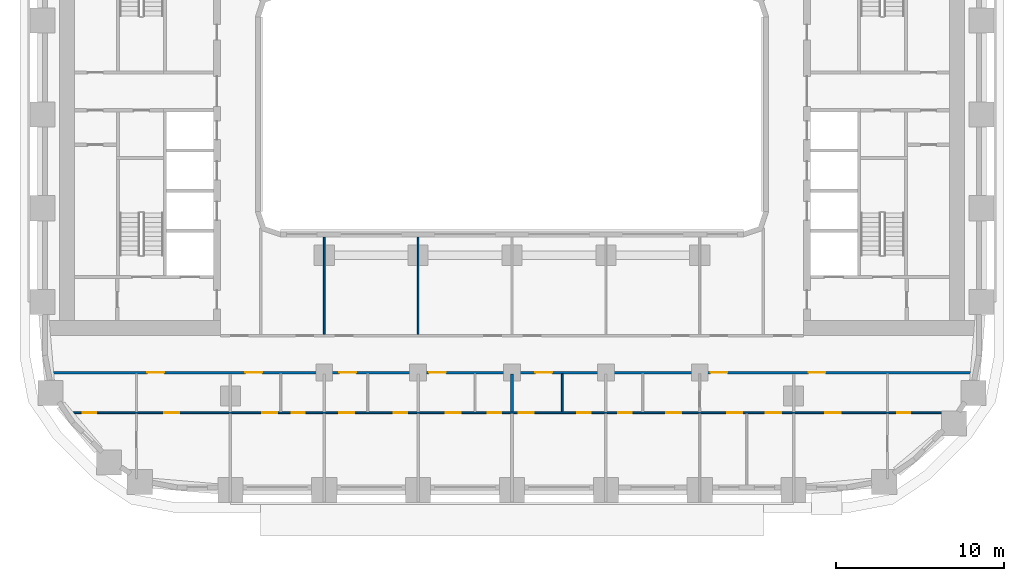
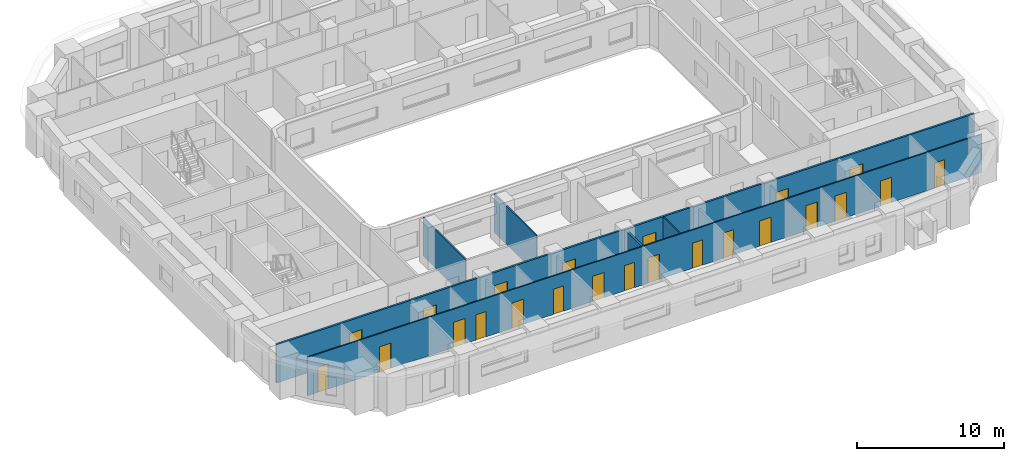
# One storey, part 3 of 21: 23 doors, 6 walls, 23 openings.
"""IFC4 building model written with IfcOpenShell, lengths in metres."""

from ifc_helpers import new_model, si_unit, direction, frame, frame_2d, origin, place, context, subcontext, project, spatial, rectangle, extrude, material, layer, layer_set, type_object, element, fill, save


model = new_model("IFC4")

# Units and contexts
model_context = context("Model", 3, precision=1e-05, world=origin(), true_north=direction((0.0, 1.0)))
body_context = subcontext(model_context, "Body", "Model", "MODEL_VIEW")
ifc_project = project(units=[si_unit("LENGTHUNIT", "METRE"), si_unit("AREAUNIT", "SQUARE_METRE"), si_unit("VOLUMEUNIT", "CUBIC_METRE"), si_unit("PLANEANGLEUNIT", "RADIAN"), si_unit("MASSUNIT", "GRAM", prefix="KILO")], contexts=[model_context])

# Site, building, storey
site_placement = place(None, origin())
site = spatial("IfcSite", under=ifc_project, at=site_placement, CompositionType="ELEMENT")
building_placement = place(site_placement, origin())
building = spatial("IfcBuilding", under=site, at=building_placement, Name="Kiln Ring Residences", CompositionType="ELEMENT")
storey_placement = place(building_placement, frame((0.0, 0.0, 34.0)))
storey = spatial("IfcBuildingStorey", under=building, at=storey_placement, Name="L07", CompositionType="ELEMENT", Elevation=34.0)

# Wall, openings, doors
ifc_material_1 = material(Name="Gypsum board on steel studs", Category="steel")
ifc_layer_1 = layer(ifc_material_1, 0.10009765625)
ifc_layer_set_1 = layer_set([ifc_layer_1], Name="PARTITION-100")
wall_type_1 = type_object("IfcWallType", Name="PARTITION-100", PredefinedType="PARTITIONING", material=ifc_layer_set_1)
wall_1_placement = place(storey_placement, frame((-26.39404296875, -17.800048828125, 0.0), z_axis=(0.0, 0.0, 1.0), x_axis=(1.0, 0.0, 0.0)))
wall_1 = element("IfcWall", 1, at=wall_1_placement, inside=storey, type_object=wall_type_1, Name="Partition 000", PredefinedType="PARTITIONING", context=body_context, shape_type="SweptSolid", body=[
    extrude(rectangle(XDim=53.126220703125, YDim=0.10009765625, at=frame_2d((26.56298828125, 0.0))), origin(), (0.0, 0.0, 1.0), 3.199951171875),
])
opening_1_placement = place(wall_1_placement, frame((0.7939453125, 0.0, 0.0)))
opening_1 = element("IfcOpeningElement", 2, at=opening_1_placement, cuts=wall_1, Name="Opening L07-D044", PredefinedType="OPENING", context=body_context, shape_type="SweptSolid", body=[
    extrude(rectangle(XDim=0.800048828125, YDim=2.10009765625, at=frame_2d((0.39990234375, 1.050048828125))), frame((0.0, 0.06005859375, 0.0), z_axis=(0.0, -1.0, 0.0), x_axis=(1.0, 0.0, 0.0)), (0.0, 0.0, 1.0), 0.1201171875),
])
opening_2_placement = place(wall_1_placement, frame((5.64404296875, 0.0, 0.0)))
opening_2 = element("IfcOpeningElement", 3, at=opening_2_placement, cuts=wall_1, Name="Opening L07-D045", PredefinedType="OPENING", context=body_context, shape_type="SweptSolid", body=[
    extrude(rectangle(XDim=0.89990234375, YDim=2.10009765625, at=frame_2d((0.449951171875, 1.050048828125))), frame((0.0, 0.06005859375, 0.0), z_axis=(0.0, -1.0, 0.0), x_axis=(1.0, 0.0, 0.0)), (0.0, 0.0, 1.0), 0.1201171875),
])
opening_3_placement = place(wall_1_placement, frame((13.243896484375, 0.0, 0.0)))
opening_3 = element("IfcOpeningElement", 4, at=opening_3_placement, cuts=wall_1, Name="Opening L07-D048", PredefinedType="OPENING", context=body_context, shape_type="SweptSolid", body=[
    extrude(rectangle(XDim=0.800048828125, YDim=2.10009765625, at=frame_2d((0.39990234375, 1.050048828125))), frame((0.0, 0.06005859375, 0.0), z_axis=(0.0, -1.0, 0.0), x_axis=(1.0, 0.0, 0.0)), (0.0, 0.0, 1.0), 0.1201171875),
])
opening_4_placement = place(wall_1_placement, frame((11.493896484375, 0.0, 0.0)))
opening_4 = element("IfcOpeningElement", 5, at=opening_4_placement, cuts=wall_1, Name="Opening L07-D049", PredefinedType="OPENING", context=body_context, shape_type="SweptSolid", body=[
    extrude(rectangle(XDim=0.89990234375, YDim=2.10009765625, at=frame_2d((0.449951171875, 1.050048828125))), frame((0.0, 0.06005859375, 0.0), z_axis=(0.0, -1.0, 0.0), x_axis=(1.0, 0.0, 0.0)), (0.0, 0.0, 1.0), 0.1201171875),
])
opening_5_placement = place(wall_1_placement, frame((19.343994140625, 0.0, 0.0)))
opening_5 = element("IfcOpeningElement", 6, at=opening_5_placement, cuts=wall_1, Name="Opening L07-D051", PredefinedType="OPENING", context=body_context, shape_type="SweptSolid", body=[
    extrude(rectangle(XDim=0.800048828125, YDim=2.10009765625, at=frame_2d((0.39990234375, 1.050048828125))), frame((0.0, 0.06005859375, 0.0), z_axis=(0.0, -1.0, 0.0), x_axis=(1.0, 0.0, 0.0)), (0.0, 0.0, 1.0), 0.1201171875),
])
opening_6_placement = place(wall_1_placement, frame((16.093994140625, 0.0, 0.0)))
opening_6 = element("IfcOpeningElement", 7, at=opening_6_placement, cuts=wall_1, Name="Opening L07-D052", PredefinedType="OPENING", context=body_context, shape_type="SweptSolid", body=[
    extrude(rectangle(XDim=0.89990234375, YDim=2.10009765625, at=frame_2d((0.449951171875, 1.050048828125))), frame((0.0, 0.06005859375, 0.0), z_axis=(0.0, -1.0, 0.0), x_axis=(1.0, 0.0, 0.0)), (0.0, 0.0, 1.0), 0.1201171875),
])
opening_7_placement = place(wall_1_placement, frame((24.944091796875, 0.0, 0.0)))
opening_7 = element("IfcOpeningElement", 8, at=opening_7_placement, cuts=wall_1, Name="Opening L07-D054", PredefinedType="OPENING", context=body_context, shape_type="SweptSolid", body=[
    extrude(rectangle(XDim=0.800048828125, YDim=2.10009765625, at=frame_2d((0.39990234375, 1.050048828125))), frame((0.0, 0.06005859375, 0.0), z_axis=(0.0, -1.0, 0.0), x_axis=(1.0, 0.0, 0.0)), (0.0, 0.0, 1.0), 0.1201171875),
])
opening_8_placement = place(wall_1_placement, frame((22.444091796875, 0.0, 0.0)))
opening_8 = element("IfcOpeningElement", 9, at=opening_8_placement, cuts=wall_1, Name="Opening L07-D055", PredefinedType="OPENING", context=body_context, shape_type="SweptSolid", body=[
    extrude(rectangle(XDim=0.89990234375, YDim=2.10009765625, at=frame_2d((0.449951171875, 1.050048828125))), frame((0.0, 0.06005859375, 0.0), z_axis=(0.0, -1.0, 0.0), x_axis=(1.0, 0.0, 0.0)), (0.0, 0.0, 1.0), 0.1201171875),
])
opening_9_placement = place(wall_1_placement, frame((30.2939453125, 0.0, 0.0)))
opening_9 = element("IfcOpeningElement", 10, at=opening_9_placement, cuts=wall_1, Name="Opening L07-D057", PredefinedType="OPENING", context=body_context, shape_type="SweptSolid", body=[
    extrude(rectangle(XDim=0.800048828125, YDim=2.10009765625, at=frame_2d((0.39990234375, 1.050048828125))), frame((0.0, 0.06005859375, 0.0), z_axis=(0.0, -1.0, 0.0), x_axis=(1.0, 0.0, 0.0)), (0.0, 0.0, 1.0), 0.1201171875),
])
opening_10_placement = place(wall_1_placement, frame((26.7939453125, 0.0, 0.0)))
opening_10 = element("IfcOpeningElement", 11, at=opening_10_placement, cuts=wall_1, Name="Opening L07-D058", PredefinedType="OPENING", context=body_context, shape_type="SweptSolid", body=[
    extrude(rectangle(XDim=0.89990234375, YDim=2.10009765625, at=frame_2d((0.449951171875, 1.050048828125))), frame((0.0, 0.06005859375, 0.0), z_axis=(0.0, -1.0, 0.0), x_axis=(1.0, 0.0, 0.0)), (0.0, 0.0, 1.0), 0.1201171875),
])
opening_11_placement = place(wall_1_placement, frame((32.743896484375, 0.0, 0.0)))
opening_11 = element("IfcOpeningElement", 12, at=opening_11_placement, cuts=wall_1, Name="Opening L07-D061", PredefinedType="OPENING", context=body_context, shape_type="SweptSolid", body=[
    extrude(rectangle(XDim=0.800048828125, YDim=2.10009765625, at=frame_2d((0.39990234375, 1.050048828125))), frame((0.0, 0.06005859375, 0.0), z_axis=(0.0, -1.0, 0.0), x_axis=(1.0, 0.0, 0.0)), (0.0, 0.0, 1.0), 0.1201171875),
])
opening_12_placement = place(wall_1_placement, frame((35.593994140625, 0.0, 0.0)))
opening_12 = element("IfcOpeningElement", 13, at=opening_12_placement, cuts=wall_1, Name="Opening L07-D062", PredefinedType="OPENING", context=body_context, shape_type="SweptSolid", body=[
    extrude(rectangle(XDim=0.89990234375, YDim=2.10009765625, at=frame_2d((0.449951171875, 1.050048828125))), frame((0.0, 0.06005859375, 0.0), z_axis=(0.0, -1.0, 0.0), x_axis=(1.0, 0.0, 0.0)), (0.0, 0.0, 1.0), 0.1201171875),
])
opening_13_placement = place(wall_1_placement, frame((39.243896484375, 0.0, 0.0)))
opening_13 = element("IfcOpeningElement", 14, at=opening_13_placement, cuts=wall_1, Name="Opening L07-D063", PredefinedType="OPENING", context=body_context, shape_type="SweptSolid", body=[
    extrude(rectangle(XDim=0.89990234375, YDim=2.10009765625, at=frame_2d((0.449951171875, 1.050048828125))), frame((0.0, 0.06005859375, 0.0), z_axis=(0.0, -1.0, 0.0), x_axis=(1.0, 0.0, 0.0)), (0.0, 0.0, 1.0), 0.1201171875),
])
opening_14_placement = place(wall_1_placement, frame((41.5439453125, 0.0, 0.0)))
opening_14 = element("IfcOpeningElement", 15, at=opening_14_placement, cuts=wall_1, Name="Opening L07-D064", PredefinedType="OPENING", context=body_context, shape_type="SweptSolid", body=[
    extrude(rectangle(XDim=0.89990234375, YDim=2.10009765625, at=frame_2d((0.449951171875, 1.050048828125))), frame((0.0, 0.06005859375, 0.0), z_axis=(0.0, -1.0, 0.0), x_axis=(1.0, 0.0, 0.0)), (0.0, 0.0, 1.0), 0.1201171875),
])
opening_15_placement = place(wall_1_placement, frame((49.362060546875, 0.0, 0.0)))
opening_15 = element("IfcOpeningElement", 16, at=opening_15_placement, cuts=wall_1, Name="Opening L07-D066", PredefinedType="OPENING", context=body_context, shape_type="SweptSolid", body=[
    extrude(rectangle(XDim=0.800048828125, YDim=2.10009765625, at=frame_2d((0.39990234375, 1.050048828125))), frame((0.0, 0.06005859375, 0.0), z_axis=(0.0, -1.0, 0.0), x_axis=(1.0, 0.0, 0.0)), (0.0, 0.0, 1.0), 0.1201171875),
])
opening_16_placement = place(wall_1_placement, frame((45.093994140625, 0.0, 0.0)))
opening_16 = element("IfcOpeningElement", 17, at=opening_16_placement, cuts=wall_1, Name="Opening L07-D067", PredefinedType="OPENING", context=body_context, shape_type="SweptSolid", body=[
    extrude(rectangle(XDim=0.89990234375, YDim=2.10009765625, at=frame_2d((0.449951171875, 1.050048828125))), frame((0.0, 0.06005859375, 0.0), z_axis=(0.0, -1.0, 0.0), x_axis=(1.0, 0.0, 0.0)), (0.0, 0.0, 1.0), 0.1201171875),
])
ifc_material_2 = material(Name="Timber door leaf", Category="wood")
door_type_1 = type_object("IfcDoorType", Name="FLAT-DOOR-800-PL", OperationType="SINGLE_SWING_LEFT", PredefinedType="DOOR", material=ifc_material_2)
door_1_placement = place(opening_1_placement, origin())
door_1 = element("IfcDoor", 18, at=door_1_placement, inside=storey, type_object=door_type_1, Name="Door L07-D044", OperationType="SINGLE_SWING_RIGHT", OverallHeight=2.10009765625, OverallWidth=0.800048828125, PredefinedType="DOOR", context=body_context, shape_type="SweptSolid", body=[
    extrude(rectangle(XDim=0.800048828125, YDim=2.10009765625, at=frame_2d((0.39990234375, 1.050048828125))), frame((0.0, 0.02490234375, 0.0), z_axis=(0.0, -1.0, 0.0), x_axis=(1.0, 0.0, 0.0)), (0.0, 0.0, 1.0), 0.050048828125),
])
fill(opening_1, door_1)
door_2_placement = place(opening_3_placement, origin())
door_2 = element("IfcDoor", 19, at=door_2_placement, inside=storey, type_object=door_type_1, Name="Door L07-D048", OperationType="SINGLE_SWING_RIGHT", OverallHeight=2.10009765625, OverallWidth=0.800048828125, PredefinedType="DOOR", context=body_context, shape_type="SweptSolid", body=[
    extrude(rectangle(XDim=0.800048828125, YDim=2.10009765625, at=frame_2d((0.39990234375, 1.050048828125))), frame((0.0, 0.02490234375, 0.0), z_axis=(0.0, -1.0, 0.0), x_axis=(1.0, 0.0, 0.0)), (0.0, 0.0, 1.0), 0.050048828125),
])
fill(opening_3, door_2)
door_3_placement = place(opening_5_placement, origin())
door_3 = element("IfcDoor", 20, at=door_3_placement, inside=storey, type_object=door_type_1, Name="Door L07-D051", OperationType="SINGLE_SWING_LEFT", OverallHeight=2.10009765625, OverallWidth=0.800048828125, PredefinedType="DOOR", context=body_context, shape_type="SweptSolid", body=[
    extrude(rectangle(XDim=0.800048828125, YDim=2.10009765625, at=frame_2d((0.39990234375, 1.050048828125))), frame((0.0, 0.02490234375, 0.0), z_axis=(0.0, -1.0, 0.0), x_axis=(1.0, 0.0, 0.0)), (0.0, 0.0, 1.0), 0.050048828125),
])
fill(opening_5, door_3)
door_4_placement = place(opening_7_placement, origin())
door_4 = element("IfcDoor", 21, at=door_4_placement, inside=storey, type_object=door_type_1, Name="Door L07-D054", OperationType="SINGLE_SWING_RIGHT", OverallHeight=2.10009765625, OverallWidth=0.800048828125, PredefinedType="DOOR", context=body_context, shape_type="SweptSolid", body=[
    extrude(rectangle(XDim=0.800048828125, YDim=2.10009765625, at=frame_2d((0.39990234375, 1.050048828125))), frame((0.0, 0.02490234375, 0.0), z_axis=(0.0, -1.0, 0.0), x_axis=(1.0, 0.0, 0.0)), (0.0, 0.0, 1.0), 0.050048828125),
])
fill(opening_7, door_4)
door_5_placement = place(opening_9_placement, origin())
door_5 = element("IfcDoor", 22, at=door_5_placement, inside=storey, type_object=door_type_1, Name="Door L07-D057", OperationType="SINGLE_SWING_LEFT", OverallHeight=2.10009765625, OverallWidth=0.800048828125, PredefinedType="DOOR", context=body_context, shape_type="SweptSolid", body=[
    extrude(rectangle(XDim=0.800048828125, YDim=2.10009765625, at=frame_2d((0.39990234375, 1.050048828125))), frame((0.0, 0.02490234375, 0.0), z_axis=(0.0, -1.0, 0.0), x_axis=(1.0, 0.0, 0.0)), (0.0, 0.0, 1.0), 0.050048828125),
])
fill(opening_9, door_5)
door_6_placement = place(opening_11_placement, origin())
door_6 = element("IfcDoor", 23, at=door_6_placement, inside=storey, type_object=door_type_1, Name="Door L07-D061", OperationType="SINGLE_SWING_LEFT", OverallHeight=2.10009765625, OverallWidth=0.800048828125, PredefinedType="DOOR", context=body_context, shape_type="SweptSolid", body=[
    extrude(rectangle(XDim=0.800048828125, YDim=2.10009765625, at=frame_2d((0.39990234375, 1.050048828125))), frame((0.0, 0.02490234375, 0.0), z_axis=(0.0, -1.0, 0.0), x_axis=(1.0, 0.0, 0.0)), (0.0, 0.0, 1.0), 0.050048828125),
])
fill(opening_11, door_6)
door_7_placement = place(opening_15_placement, origin())
door_7 = element("IfcDoor", 24, at=door_7_placement, inside=storey, type_object=door_type_1, Name="Door L07-D066", OperationType="SINGLE_SWING_RIGHT", OverallHeight=2.10009765625, OverallWidth=0.800048828125, PredefinedType="DOOR", context=body_context, shape_type="SweptSolid", body=[
    extrude(rectangle(XDim=0.800048828125, YDim=2.10009765625, at=frame_2d((0.39990234375, 1.050048828125))), frame((0.0, 0.02490234375, 0.0), z_axis=(0.0, -1.0, 0.0), x_axis=(1.0, 0.0, 0.0)), (0.0, 0.0, 1.0), 0.050048828125),
])
fill(opening_15, door_7)
ifc_material_3 = material(Name="Timber door leaf", Category="wood")
door_type_2 = type_object("IfcDoorType", Name="FLAT-DOOR-900-PL", OperationType="SINGLE_SWING_LEFT", PredefinedType="DOOR", material=ifc_material_3)
door_8_placement = place(opening_2_placement, origin())
door_8 = element("IfcDoor", 25, at=door_8_placement, inside=storey, type_object=door_type_2, Name="Door L07-D045", OperationType="SINGLE_SWING_LEFT", OverallHeight=2.10009765625, OverallWidth=0.89990234375, PredefinedType="DOOR", context=body_context, shape_type="SweptSolid", body=[
    extrude(rectangle(XDim=0.89990234375, YDim=2.10009765625, at=frame_2d((0.449951171875, 1.050048828125))), frame((0.0, 0.02490234375, 0.0), z_axis=(0.0, -1.0, 0.0), x_axis=(1.0, 0.0, 0.0)), (0.0, 0.0, 1.0), 0.050048828125),
])
fill(opening_2, door_8)
door_9_placement = place(opening_4_placement, origin())
door_9 = element("IfcDoor", 26, at=door_9_placement, inside=storey, type_object=door_type_2, Name="Door L07-D049", OperationType="SINGLE_SWING_RIGHT", OverallHeight=2.10009765625, OverallWidth=0.89990234375, PredefinedType="DOOR", context=body_context, shape_type="SweptSolid", body=[
    extrude(rectangle(XDim=0.89990234375, YDim=2.10009765625, at=frame_2d((0.449951171875, 1.050048828125))), frame((0.0, 0.02490234375, 0.0), z_axis=(0.0, -1.0, 0.0), x_axis=(1.0, 0.0, 0.0)), (0.0, 0.0, 1.0), 0.050048828125),
])
fill(opening_4, door_9)
door_10_placement = place(opening_6_placement, origin())
door_10 = element("IfcDoor", 27, at=door_10_placement, inside=storey, type_object=door_type_2, Name="Door L07-D052", OperationType="SINGLE_SWING_RIGHT", OverallHeight=2.10009765625, OverallWidth=0.89990234375, PredefinedType="DOOR", context=body_context, shape_type="SweptSolid", body=[
    extrude(rectangle(XDim=0.89990234375, YDim=2.10009765625, at=frame_2d((0.449951171875, 1.050048828125))), frame((0.0, 0.02490234375, 0.0), z_axis=(0.0, -1.0, 0.0), x_axis=(1.0, 0.0, 0.0)), (0.0, 0.0, 1.0), 0.050048828125),
])
fill(opening_6, door_10)
door_11_placement = place(opening_8_placement, origin())
door_11 = element("IfcDoor", 28, at=door_11_placement, inside=storey, type_object=door_type_2, Name="Door L07-D055", OperationType="SINGLE_SWING_RIGHT", OverallHeight=2.10009765625, OverallWidth=0.89990234375, PredefinedType="DOOR", context=body_context, shape_type="SweptSolid", body=[
    extrude(rectangle(XDim=0.89990234375, YDim=2.10009765625, at=frame_2d((0.449951171875, 1.050048828125))), frame((0.0, 0.02490234375, 0.0), z_axis=(0.0, -1.0, 0.0), x_axis=(1.0, 0.0, 0.0)), (0.0, 0.0, 1.0), 0.050048828125),
])
fill(opening_8, door_11)
door_12_placement = place(opening_10_placement, origin())
door_12 = element("IfcDoor", 29, at=door_12_placement, inside=storey, type_object=door_type_2, Name="Door L07-D058", OperationType="SINGLE_SWING_LEFT", OverallHeight=2.10009765625, OverallWidth=0.89990234375, PredefinedType="DOOR", context=body_context, shape_type="SweptSolid", body=[
    extrude(rectangle(XDim=0.89990234375, YDim=2.10009765625, at=frame_2d((0.449951171875, 1.050048828125))), frame((0.0, 0.02490234375, 0.0), z_axis=(0.0, -1.0, 0.0), x_axis=(1.0, 0.0, 0.0)), (0.0, 0.0, 1.0), 0.050048828125),
])
fill(opening_10, door_12)
door_13_placement = place(opening_12_placement, origin())
door_13 = element("IfcDoor", 30, at=door_13_placement, inside=storey, type_object=door_type_2, Name="Door L07-D062", OperationType="SINGLE_SWING_RIGHT", OverallHeight=2.10009765625, OverallWidth=0.89990234375, PredefinedType="DOOR", context=body_context, shape_type="SweptSolid", body=[
    extrude(rectangle(XDim=0.89990234375, YDim=2.10009765625, at=frame_2d((0.449951171875, 1.050048828125))), frame((0.0, 0.02490234375, 0.0), z_axis=(0.0, -1.0, 0.0), x_axis=(1.0, 0.0, 0.0)), (0.0, 0.0, 1.0), 0.050048828125),
])
fill(opening_12, door_13)
door_14_placement = place(opening_13_placement, origin())
door_14 = element("IfcDoor", 31, at=door_14_placement, inside=storey, type_object=door_type_2, Name="Door L07-D063", OperationType="SINGLE_SWING_RIGHT", OverallHeight=2.10009765625, OverallWidth=0.89990234375, PredefinedType="DOOR", context=body_context, shape_type="SweptSolid", body=[
    extrude(rectangle(XDim=0.89990234375, YDim=2.10009765625, at=frame_2d((0.449951171875, 1.050048828125))), frame((0.0, 0.02490234375, 0.0), z_axis=(0.0, -1.0, 0.0), x_axis=(1.0, 0.0, 0.0)), (0.0, 0.0, 1.0), 0.050048828125),
])
fill(opening_13, door_14)
door_15_placement = place(opening_14_placement, origin())
door_15 = element("IfcDoor", 32, at=door_15_placement, inside=storey, type_object=door_type_2, Name="Door L07-D064", OperationType="SINGLE_SWING_RIGHT", OverallHeight=2.10009765625, OverallWidth=0.89990234375, PredefinedType="DOOR", context=body_context, shape_type="SweptSolid", body=[
    extrude(rectangle(XDim=0.89990234375, YDim=2.10009765625, at=frame_2d((0.449951171875, 1.050048828125))), frame((0.0, 0.02490234375, 0.0), z_axis=(0.0, -1.0, 0.0), x_axis=(1.0, 0.0, 0.0)), (0.0, 0.0, 1.0), 0.050048828125),
])
fill(opening_14, door_15)
door_16_placement = place(opening_16_placement, origin())
door_16 = element("IfcDoor", 33, at=door_16_placement, inside=storey, type_object=door_type_2, Name="Door L07-D067", OperationType="SINGLE_SWING_LEFT", OverallHeight=2.10009765625, OverallWidth=0.89990234375, PredefinedType="DOOR", context=body_context, shape_type="SweptSolid", body=[
    extrude(rectangle(XDim=0.89990234375, YDim=2.10009765625, at=frame_2d((0.449951171875, 1.050048828125))), frame((0.0, 0.02490234375, 0.0), z_axis=(0.0, -1.0, 0.0), x_axis=(1.0, 0.0, 0.0)), (0.0, 0.0, 1.0), 0.050048828125),
])
fill(opening_16, door_16)

# Walls
for number, where, z_axis, x_axis, name in (
    (34, (-11.199951171875, -13.125, 0.0), (0.0, 0.0, 1.0), (0.0, 1.0, 0.0), "Partition 018"),
    (35, (-5.60009765625, -13.125, 0.0), (0.0, 0.0, 1.0), (0.0, 1.0, 0.0), "Partition 026"),
):
    element("IfcWall", number, at=place(storey_placement, frame(where, z_axis=z_axis, x_axis=x_axis)), inside=storey, type_object=wall_type_1, Name=name, PredefinedType="PARTITIONING", context=body_context, shape_type="SweptSolid", body=[
        extrude(rectangle(XDim=5.804931640625, YDim=0.10009765625, at=frame_2d((2.90234375, 0.0))), origin(), (0.0, 0.0, 1.0), 3.199951171875),
    ])
wall_2_placement = place(storey_placement, frame((3.0, -17.75, 0.0), z_axis=(0.0, 0.0, 1.0), x_axis=(0.0, 1.0, 0.0)))
element("IfcWall", 36, at=wall_2_placement, inside=storey, type_object=wall_type_1, Name="Partition 041", PredefinedType="PARTITIONING", context=body_context, shape_type="SweptSolid", body=[
    extrude(rectangle(XDim=2.27490234375, YDim=0.10009765625, at=frame_2d((1.137451171875, 0.0))), origin(), (0.0, 0.0, 1.0), 3.199951171875),
])

# Wall, openings, doors
ifc_material_4 = material(Name="Brick masonry partition", Category="masonry")
ifc_layer_2 = layer(ifc_material_4, 0.14990234375)
ifc_layer_set_2 = layer_set([ifc_layer_2], Name="PARTITION-150-ei60")
wall_type_2 = type_object("IfcWallType", Name="PARTITION-150-ei60", PredefinedType="PARTITIONING", material=ifc_layer_set_2)
wall_3_placement = place(storey_placement, frame((-27.48388671875, -15.39990234375, 0.0), z_axis=(0.0, 0.0, 1.0), x_axis=(1.0, 0.0, 0.0)))
wall_3 = element("IfcWall", 37, at=wall_3_placement, inside=storey, type_object=wall_type_2, Name="Partition 001", PredefinedType="PARTITIONING", context=body_context, shape_type="SweptSolid", body=[
    extrude(rectangle(XDim=54.9677734375, YDim=0.14990234375, at=frame_2d((27.48388671875, 0.0))), origin(), (0.0, 0.0, 1.0), 3.199951171875),
])
opening_17_placement = place(wall_3_placement, frame((5.73388671875, 0.0, 0.0)))
opening_17 = element("IfcOpeningElement", 38, at=opening_17_placement, cuts=wall_3, Name="Opening L07-D043", PredefinedType="OPENING", context=body_context, shape_type="SweptSolid", body=[
    extrude(rectangle(XDim=1.0, YDim=2.10009765625, at=frame_2d((0.5, 1.050048828125))), frame((0.0, 0.0849609375, 0.0), z_axis=(0.0, -1.0, 0.0), x_axis=(1.0, 0.0, 0.0)), (0.0, 0.0, 1.0), 0.169921875),
])
opening_18_placement = place(wall_3_placement, frame((11.583740234375, 0.0, 0.0)))
opening_18 = element("IfcOpeningElement", 39, at=opening_18_placement, cuts=wall_3, Name="Opening L07-D047", PredefinedType="OPENING", context=body_context, shape_type="SweptSolid", body=[
    extrude(rectangle(XDim=1.0, YDim=2.10009765625, at=frame_2d((0.5, 1.050048828125))), frame((0.0, 0.0849609375, 0.0), z_axis=(0.0, -1.0, 0.0), x_axis=(1.0, 0.0, 0.0)), (0.0, 0.0, 1.0), 0.169921875),
])
opening_19_placement = place(wall_3_placement, frame((17.183837890625, 0.0, 0.0)))
opening_19 = element("IfcOpeningElement", 40, at=opening_19_placement, cuts=wall_3, Name="Opening L07-D050", PredefinedType="OPENING", context=body_context, shape_type="SweptSolid", body=[
    extrude(rectangle(XDim=1.0, YDim=2.10009765625, at=frame_2d((0.5, 1.050048828125))), frame((0.0, 0.0849609375, 0.0), z_axis=(0.0, -1.0, 0.0), x_axis=(1.0, 0.0, 0.0)), (0.0, 0.0, 1.0), 0.169921875),
])
opening_20_placement = place(wall_3_placement, frame((22.53369140625, 0.0, 0.0)))
opening_20 = element("IfcOpeningElement", 41, at=opening_20_placement, cuts=wall_3, Name="Opening L07-D053", PredefinedType="OPENING", context=body_context, shape_type="SweptSolid", body=[
    extrude(rectangle(XDim=1.0, YDim=2.10009765625, at=frame_2d((0.5, 1.050048828125))), frame((0.0, 0.0849609375, 0.0), z_axis=(0.0, -1.0, 0.0), x_axis=(1.0, 0.0, 0.0)), (0.0, 0.0, 1.0), 0.169921875),
])
opening_21_placement = place(wall_3_placement, frame((28.8837890625, 0.0, 0.0)))
opening_21 = element("IfcOpeningElement", 42, at=opening_21_placement, cuts=wall_3, Name="Opening L07-D056", PredefinedType="OPENING", context=body_context, shape_type="SweptSolid", body=[
    extrude(rectangle(XDim=1.0, YDim=2.10009765625, at=frame_2d((0.5, 1.050048828125))), frame((0.0, 0.0849609375, 0.0), z_axis=(0.0, -1.0, 0.0), x_axis=(1.0, 0.0, 0.0)), (0.0, 0.0, 1.0), 0.169921875),
])
opening_22_placement = place(wall_3_placement, frame((39.333740234375, 0.0, 0.0)))
opening_22 = element("IfcOpeningElement", 43, at=opening_22_placement, cuts=wall_3, Name="Opening L07-D059", PredefinedType="OPENING", context=body_context, shape_type="SweptSolid", body=[
    extrude(rectangle(XDim=1.0, YDim=2.10009765625, at=frame_2d((0.5, 1.050048828125))), frame((0.0, 0.0849609375, 0.0), z_axis=(0.0, -1.0, 0.0), x_axis=(1.0, 0.0, 0.0)), (0.0, 0.0, 1.0), 0.169921875),
])
opening_23_placement = place(wall_3_placement, frame((45.183837890625, 0.0, 0.0)))
opening_23 = element("IfcOpeningElement", 44, at=opening_23_placement, cuts=wall_3, Name="Opening L07-D065", PredefinedType="OPENING", context=body_context, shape_type="SweptSolid", body=[
    extrude(rectangle(XDim=1.0, YDim=2.10009765625, at=frame_2d((0.5, 1.050048828125))), frame((0.0, 0.0849609375, 0.0), z_axis=(0.0, -1.0, 0.0), x_axis=(1.0, 0.0, 0.0)), (0.0, 0.0, 1.0), 0.169921875),
])
ifc_material_5 = material(Name="Steel faced fire door leaf", Category="steel")
door_type_3 = type_object("IfcDoorType", Name="FLAT-DOOR-1000-FR", OperationType="SINGLE_SWING_LEFT", PredefinedType="DOOR", material=ifc_material_5)
door_17_placement = place(opening_17_placement, origin())
door_17 = element("IfcDoor", 45, at=door_17_placement, inside=storey, type_object=door_type_3, Name="Door L07-D043", OperationType="SINGLE_SWING_LEFT", OverallHeight=2.10009765625, OverallWidth=1.0, PredefinedType="DOOR", context=body_context, shape_type="SweptSolid", body=[
    extrude(rectangle(XDim=1.0, YDim=2.10009765625, at=frame_2d((0.5, 1.050048828125))), frame((0.0, 0.02490234375, 0.0), z_axis=(0.0, -1.0, 0.0), x_axis=(1.0, 0.0, 0.0)), (0.0, 0.0, 1.0), 0.050048828125),
])
fill(opening_17, door_17)
door_18_placement = place(opening_18_placement, origin())
door_18 = element("IfcDoor", 46, at=door_18_placement, inside=storey, type_object=door_type_3, Name="Door L07-D047", OperationType="SINGLE_SWING_LEFT", OverallHeight=2.10009765625, OverallWidth=1.0, PredefinedType="DOOR", context=body_context, shape_type="SweptSolid", body=[
    extrude(rectangle(XDim=1.0, YDim=2.10009765625, at=frame_2d((0.5, 1.050048828125))), frame((0.0, 0.02490234375, 0.0), z_axis=(0.0, -1.0, 0.0), x_axis=(1.0, 0.0, 0.0)), (0.0, 0.0, 1.0), 0.050048828125),
])
fill(opening_18, door_18)
door_19_placement = place(opening_19_placement, origin())
door_19 = element("IfcDoor", 47, at=door_19_placement, inside=storey, type_object=door_type_3, Name="Door L07-D050", OperationType="SINGLE_SWING_RIGHT", OverallHeight=2.10009765625, OverallWidth=1.0, PredefinedType="DOOR", context=body_context, shape_type="SweptSolid", body=[
    extrude(rectangle(XDim=1.0, YDim=2.10009765625, at=frame_2d((0.5, 1.050048828125))), frame((0.0, 0.02490234375, 0.0), z_axis=(0.0, -1.0, 0.0), x_axis=(1.0, 0.0, 0.0)), (0.0, 0.0, 1.0), 0.050048828125),
])
fill(opening_19, door_19)
door_20_placement = place(opening_20_placement, origin())
door_20 = element("IfcDoor", 48, at=door_20_placement, inside=storey, type_object=door_type_3, Name="Door L07-D053", OperationType="SINGLE_SWING_LEFT", OverallHeight=2.10009765625, OverallWidth=1.0, PredefinedType="DOOR", context=body_context, shape_type="SweptSolid", body=[
    extrude(rectangle(XDim=1.0, YDim=2.10009765625, at=frame_2d((0.5, 1.050048828125))), frame((0.0, 0.02490234375, 0.0), z_axis=(0.0, -1.0, 0.0), x_axis=(1.0, 0.0, 0.0)), (0.0, 0.0, 1.0), 0.050048828125),
])
fill(opening_20, door_20)
door_21_placement = place(opening_21_placement, origin())
door_21 = element("IfcDoor", 49, at=door_21_placement, inside=storey, type_object=door_type_3, Name="Door L07-D056", OperationType="SINGLE_SWING_RIGHT", OverallHeight=2.10009765625, OverallWidth=1.0, PredefinedType="DOOR", context=body_context, shape_type="SweptSolid", body=[
    extrude(rectangle(XDim=1.0, YDim=2.10009765625, at=frame_2d((0.5, 1.050048828125))), frame((0.0, 0.02490234375, 0.0), z_axis=(0.0, -1.0, 0.0), x_axis=(1.0, 0.0, 0.0)), (0.0, 0.0, 1.0), 0.050048828125),
])
fill(opening_21, door_21)
door_22_placement = place(opening_22_placement, origin())
door_22 = element("IfcDoor", 50, at=door_22_placement, inside=storey, type_object=door_type_3, Name="Door L07-D059", OperationType="SINGLE_SWING_LEFT", OverallHeight=2.10009765625, OverallWidth=1.0, PredefinedType="DOOR", context=body_context, shape_type="SweptSolid", body=[
    extrude(rectangle(XDim=1.0, YDim=2.10009765625, at=frame_2d((0.5, 1.050048828125))), frame((0.0, 0.02490234375, 0.0), z_axis=(0.0, -1.0, 0.0), x_axis=(1.0, 0.0, 0.0)), (0.0, 0.0, 1.0), 0.050048828125),
])
fill(opening_22, door_22)
door_23_placement = place(opening_23_placement, origin())
door_23 = element("IfcDoor", 51, at=door_23_placement, inside=storey, type_object=door_type_3, Name="Door L07-D065", OperationType="SINGLE_SWING_LEFT", OverallHeight=2.10009765625, OverallWidth=1.0, PredefinedType="DOOR", context=body_context, shape_type="SweptSolid", body=[
    extrude(rectangle(XDim=1.0, YDim=2.10009765625, at=frame_2d((0.5, 1.050048828125))), frame((0.0, 0.02490234375, 0.0), z_axis=(0.0, -1.0, 0.0), x_axis=(1.0, 0.0, 0.0)), (0.0, 0.0, 1.0), 0.050048828125),
])
fill(opening_23, door_23)

# Wall
wall_4_placement = place(storey_placement, frame((0.0, -17.75, 0.0), z_axis=(0.0, 0.0, 1.0), x_axis=(0.0, 1.0, 0.0)))
element("IfcWall", 52, at=wall_4_placement, inside=storey, type_object=wall_type_2, Name="Partition 037", PredefinedType="PARTITIONING", context=body_context, shape_type="SweptSolid", body=[
    extrude(rectangle(XDim=2.27490234375, YDim=0.14990234375, at=frame_2d((1.137451171875, 0.0))), origin(), (0.0, 0.0, 1.0), 3.199951171875),
])

save(model, "model.ifc")
